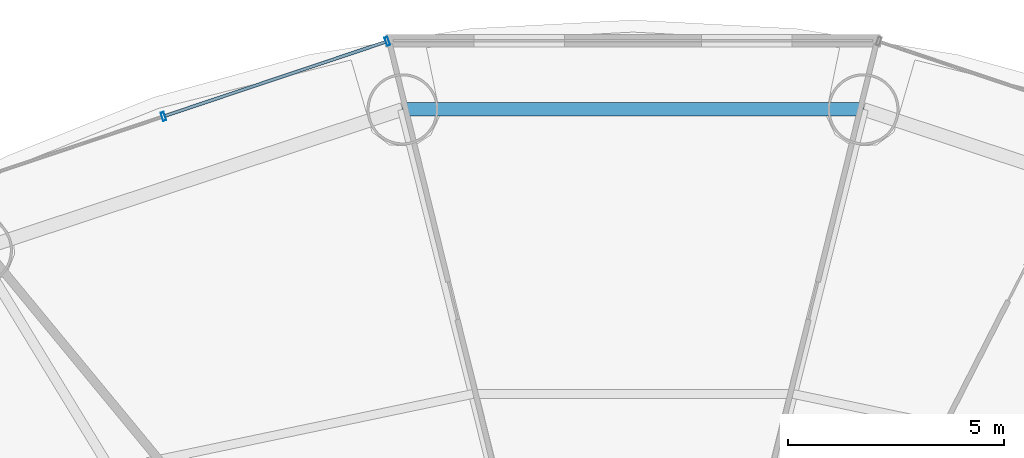
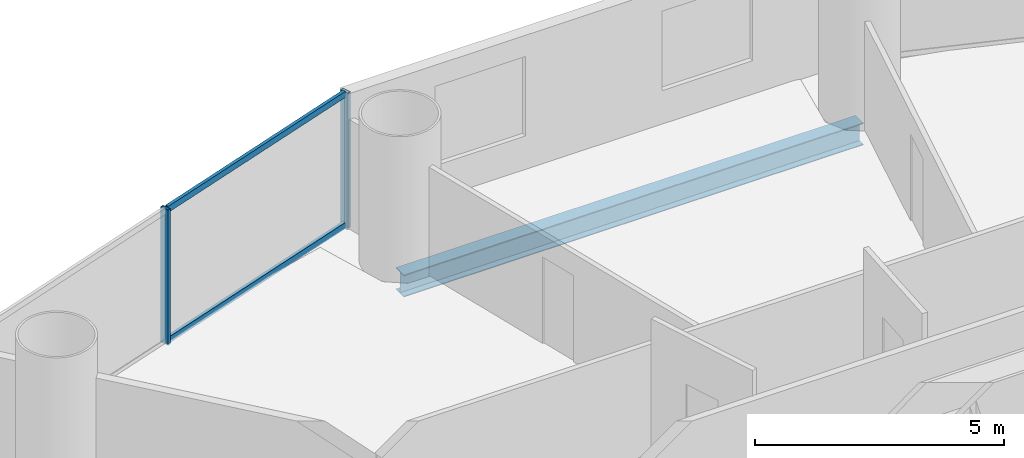
# One storey, part 16 of 28: 4 members, 1 beam, 1 element without a shape of its own.
"""IFC4 building model written with IfcOpenShell, lengths in metres."""

from ifc_helpers import new_model, si_unit, direction, frame, origin, origin_2d, place, context, subcontext, project, spatial, hollow_rectangle, i_section, extrude, source, transform, mapped, material, material_profile, profile_set, type_object, element, aggregate, save


model = new_model("IFC4")

# Units and contexts
model_context = context("Model", 3, precision=1e-05, world=origin(), true_north=direction((-0.2419218956, 0.970295726276)))
body_context = subcontext(model_context, "Body", "Model", "MODEL_VIEW")
ifc_project = project(units=[si_unit("LENGTHUNIT", "METRE"), si_unit("AREAUNIT", "SQUARE_METRE"), si_unit("VOLUMEUNIT", "CUBIC_METRE"), si_unit("PLANEANGLEUNIT", "RADIAN"), si_unit("MASSUNIT", "GRAM", prefix="KILO")], contexts=[model_context])

# Site, building, storey
site_placement = place(None, origin())
site = spatial("IfcSite", under=ifc_project, at=site_placement, CompositionType="ELEMENT")
building_placement = place(site_placement, origin())
building = spatial("IfcBuilding", under=site, at=building_placement, Name="Cobrevalo Terracotta Tower", CompositionType="ELEMENT")
storey_placement = place(building_placement, frame((0.0, 0.0, 42.0)))
storey = spatial("IfcBuildingStorey", under=building, at=storey_placement, Name="L10", CompositionType="ELEMENT", Elevation=42.0)

# Beam
ifc_material_1 = material(Name="Steel S355", Category="steel")
ifc_material_profile_1 = material_profile(ifc_material_1, i_section(OverallWidth=0.31201171875, OverallDepth=0.54296875, WebThickness=0.0126953125, FlangeThickness=0.020263671875, at=origin_2d()), Name="W 530x150")
ifc_profile_set_1 = profile_set([ifc_material_profile_1], Name="Steel S355")
beam_type = type_object("IfcBeamType", Name="Structural Spandrel W 530x150 (Steel S355)", PredefinedType="SPANDREL", material=ifc_profile_set_1)
beam_placement = place(storey_placement, frame((43.335693359375, 48.230224609375, -0.551513671875), z_axis=(-1.0, 0.0, 0.0), x_axis=(0.0, -1.0, 0.0)))
element("IfcBeam", 1, at=beam_placement, inside=storey, type_object=beam_type, Name="L10 perimeter ring spandrel 04", PredefinedType="SPANDREL", context=body_context, shape_type="SweptSolid", body=[
    extrude(i_section(OverallWidth=0.31201171875, OverallDepth=0.54296875, WebThickness=0.0126953125, FlangeThickness=0.020263671875, at=origin_2d()), origin(), (0.0, 0.0, 1.0), 10.67138671875),
])

# Curtain wall, members
ifc_material_2 = material(Name="Anodized aluminium", Category="aluminium")
curtain_wall_type = type_object("IfcCurtainWallType", Name="Lower-tower unitised acoustic low-E curtain wall CW-U1", PredefinedType="NOTDEFINED", material=ifc_material_2)
curtain_wall_placement = place(storey_placement, origin())
curtain_wall = element("IfcCurtainWall", 2, at=curtain_wall_placement, inside=storey, type_object=curtain_wall_type, Name="L10 curtain wall CW-L10-S05", PredefinedType="NOTDEFINED")
ifc_material_profile_2 = material_profile(ifc_material_2, hollow_rectangle(XDim=0.074951171875, YDim=0.199951171875, WallThickness=0.0048828125, at=origin_2d()), Name="CWM 75x200")
ifc_profile_set_2 = profile_set([ifc_material_profile_2], Name="Anodized aluminium")
member_type_1 = type_object("IfcMemberType", Name="Lower/mid tower unitised mullion 75x200", PredefinedType="MULLION", material=ifc_profile_set_2)
shared_shape_1 = source(origin(), body_context, "Body", "SweptSolid", [
    extrude(hollow_rectangle(XDim=0.074951171875, YDim=0.199951171875, WallThickness=0.0048828125, at=origin_2d()), origin(), (0.0, 0.0, 1.0), 3.320068359375),
])
member_1_placement = place(storey_placement, frame((32.310302734375, 49.806396484375, 0.0), z_axis=(0.0, 0.0, 1.0), x_axis=(-0.948046393597, -0.318132103987, 0.0)))
member_1 = element("IfcMember", 3, at=member_1_placement, type_object=member_type_1, Name="CW-L10-S05 vertical mullion 01", PredefinedType="MULLION", context=body_context, shape_type="MappedRepresentation", body=[
    mapped(shared_shape_1, transform((0.0, 0.0, 0.0), scale=1.0)),
])
member_2_placement = place(storey_placement, frame((27.126708984375, 48.06689453125, 0.0), z_axis=(0.0, 0.0, 1.0), x_axis=(-0.948046393597, -0.318132103987, 0.0)))
member_2 = element("IfcMember", 4, at=member_2_placement, type_object=member_type_1, Name="CW-L10-S05 vertical mullion 02", PredefinedType="MULLION", context=body_context, shape_type="MappedRepresentation", body=[
    mapped(shared_shape_1, transform((0.0, 0.0, 0.0), scale=1.0)),
])
ifc_material_profile_3 = material_profile(ifc_material_2, hollow_rectangle(XDim=0.074951171875, YDim=0.14990234375, WallThickness=0.00439453125, at=origin_2d()), Name="CWT 75x150")
ifc_profile_set_3 = profile_set([ifc_material_profile_3], Name="Anodized aluminium")
member_type_2 = type_object("IfcMemberType", Name="Tower unitised aluminium transom 75x150", PredefinedType="USERDEFINED", material=ifc_profile_set_3)
shared_shape_2 = source(origin(), body_context, "Body", "SweptSolid", [
    extrude(hollow_rectangle(XDim=0.074951171875, YDim=0.14990234375, WallThickness=0.00439453125, at=origin_2d()), origin(), (0.0, 0.0, 1.0), 5.387939453125),
])
member_3_placement = place(storey_placement, frame((32.2724609375, 49.793701171875, 0.050048828125), z_axis=(-0.94804244582, -0.318143868278, 0.0), x_axis=(0.318143868278, -0.94804244582, 0.0)))
member_3 = element("IfcMember", 5, at=member_3_placement, type_object=member_type_2, Name="CW-L10-S05 transom B01-T1", ObjectType="TRANSOM", PredefinedType="USERDEFINED", context=body_context, shape_type="MappedRepresentation", body=[
    mapped(shared_shape_2, transform((0.0, 0.0, 0.0), scale=1.0)),
])
member_4_placement = place(storey_placement, frame((32.2724609375, 49.793701171875, 3.27001953125), z_axis=(-0.94804244582, -0.318143868278, 0.0), x_axis=(0.318143868278, -0.94804244582, 0.0)))
member_4 = element("IfcMember", 6, at=member_4_placement, type_object=member_type_2, Name="CW-L10-S05 transom B01-T2", ObjectType="TRANSOM", PredefinedType="USERDEFINED", context=body_context, shape_type="MappedRepresentation", body=[
    mapped(shared_shape_2, transform((0.0, 0.0, 0.0), scale=1.0)),
])
aggregate(curtain_wall, [member_1, member_2, member_3, member_4])

save(model, "model.ifc")
